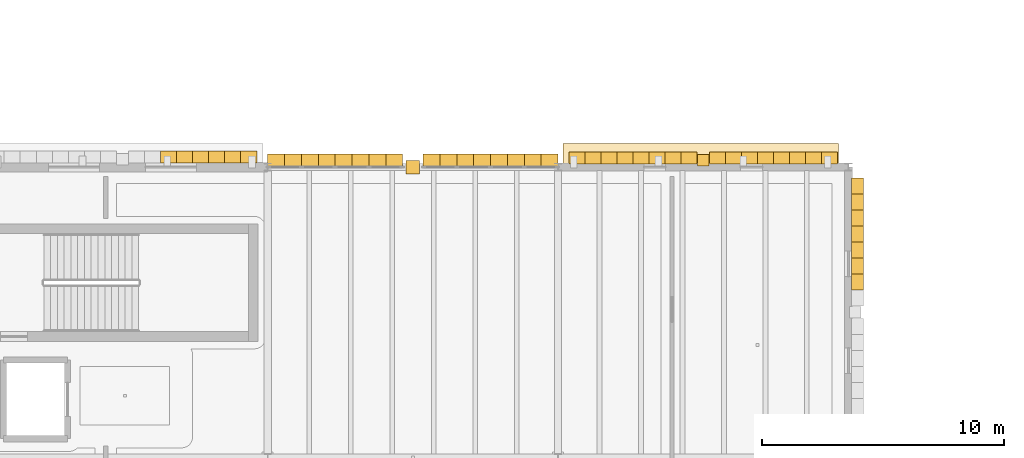
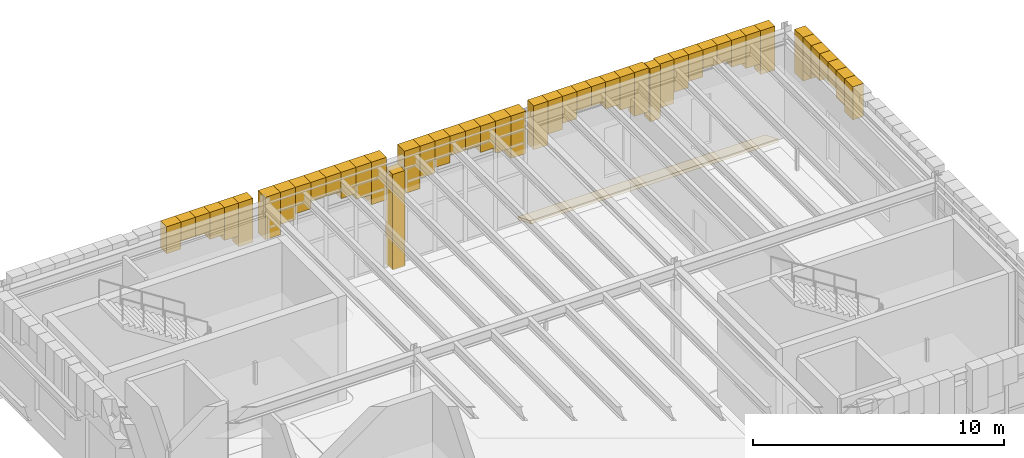
# One storey, part 95 of 100: 48 coverings.
"""IFC4 building model written with IfcOpenShell, lengths in metres."""

from ifc_helpers import new_model, si_unit, direction, frame, origin, place, context, subcontext, project, spatial, polyline, outline, extrude, material, layer, layer_set, type_object, element, save


model = new_model("IFC4")

# Units and contexts
model_context = context("Model", 3, precision=1e-05, world=origin(), true_north=direction((0.0, 1.0)))
body_context = subcontext(model_context, "Body", "Model", "MODEL_VIEW")
ifc_project = project(units=[si_unit("LENGTHUNIT", "METRE"), si_unit("AREAUNIT", "SQUARE_METRE"), si_unit("VOLUMEUNIT", "CUBIC_METRE"), si_unit("PLANEANGLEUNIT", "RADIAN"), si_unit("MASSUNIT", "GRAM", prefix="KILO")], contexts=[model_context])

# Site, building, storey
site_placement = place(None, origin())
site = spatial("IfcSite", under=ifc_project, at=site_placement, CompositionType="ELEMENT")
building_placement = place(site_placement, origin())
building = spatial("IfcBuilding", under=site, at=building_placement, Name="Zlatogorsky Bluff Art Gallery", CompositionType="ELEMENT")
storey_placement = place(building_placement, frame((0.0, 0.0, 5.39990234375)))
storey = spatial("IfcBuildingStorey", under=building, at=storey_placement, Name="L01", CompositionType="ELEMENT", Elevation=5.39990234375)

# Coverings
ifc_material = material(Name="Honed Red Agra-Tone Quartzitic Sandstone", Category="masonry")
ifc_layer = layer(ifc_material, 0.1201171875)
ifc_layer_set = layer_set([ifc_layer], Name="Carved Sandstone Cladding CLD-02")
covering_type = type_object("IfcCoveringType", Name="Carved Sandstone Cladding CLD-02", PredefinedType="CLADDING", material=ifc_layer_set)
covering_1_placement = place(storey_placement, frame((0.0, 0.0, 4.046875)))
element("IfcCovering", 1, at=covering_1_placement, inside=storey, type_object=covering_type, Name="Pointed Mughal arch voussoir spandrel WARCH-L01-N-10-09-B.3", PredefinedType="CLADDING", context=body_context, shape_type="SweptSolid", body=[
    extrude(outline(polyline([(127.574951171875, 108.169921875), (128.237548828125, 108.169921875), (128.237548828125, 108.659912109375), (127.574951171875, 108.659912109375), (127.574951171875, 108.169921875)])), origin(), (0.0, 0.0, 1.0), 1.313232421875),
])
covering_2_placement = place(storey_placement, frame((0.0, 0.0, 4.41552734375)))
element("IfcCovering", 2, at=covering_2_placement, inside=storey, type_object=covering_type, Name="Pointed Mughal arch voussoir spandrel WARCH-L01-N-10-09-B.4", PredefinedType="CLADDING", context=body_context, shape_type="SweptSolid", body=[
    extrude(outline(polyline([(128.237548828125, 108.169921875), (128.89990234375, 108.169921875), (128.89990234375, 108.659912109375), (128.237548828125, 108.659912109375), (128.237548828125, 108.169921875)])), origin(), (0.0, 0.0, 1.0), 0.944580078125),
])
covering_3_placement = place(storey_placement, frame((0.0, 0.0, 4.41552734375)))
element("IfcCovering", 3, at=covering_3_placement, inside=storey, type_object=covering_type, Name="Pointed Mughal arch voussoir spandrel WARCH-L01-N-10-09-B.5", PredefinedType="CLADDING", context=body_context, shape_type="SweptSolid", body=[
    extrude(outline(polyline([(128.89990234375, 108.169921875), (129.5625, 108.169921875), (129.5625, 108.659912109375), (128.89990234375, 108.659912109375), (128.89990234375, 108.169921875)])), origin(), (0.0, 0.0, 1.0), 0.944580078125),
])
covering_4_placement = place(storey_placement, frame((0.0, 0.0, 4.046875)))
element("IfcCovering", 4, at=covering_4_placement, inside=storey, type_object=covering_type, Name="Pointed Mughal arch voussoir spandrel WARCH-L01-N-10-09-B.6", PredefinedType="CLADDING", context=body_context, shape_type="SweptSolid", body=[
    extrude(outline(polyline([(129.5625, 108.169921875), (130.22509765625, 108.169921875), (130.22509765625, 108.659912109375), (129.5625, 108.659912109375), (129.5625, 108.169921875)])), origin(), (0.0, 0.0, 1.0), 1.313232421875),
])
covering_5_placement = place(storey_placement, frame((0.0, 0.0, 3.75390625)))
element("IfcCovering", 5, at=covering_5_placement, inside=storey, type_object=covering_type, Name="Pointed Mughal arch voussoir spandrel WARCH-L01-N-10-09-B.7", PredefinedType="CLADDING", context=body_context, shape_type="SweptSolid", body=[
    extrude(outline(polyline([(130.22509765625, 108.169921875), (130.887451171875, 108.169921875), (130.887451171875, 108.659912109375), (130.22509765625, 108.659912109375), (130.22509765625, 108.169921875)])), origin(), (0.0, 0.0, 1.0), 1.606201171875),
])
covering_6_placement = place(storey_placement, frame((0.0, 0.0, 3.222412109375)))
element("IfcCovering", 6, at=covering_6_placement, inside=storey, type_object=covering_type, Name="Pointed Mughal arch voussoir spandrel WARCH-L01-N-10-09-B.8", PredefinedType="CLADDING", context=body_context, shape_type="SweptSolid", body=[
    extrude(outline(polyline([(130.887451171875, 108.169921875), (131.550048828125, 108.169921875), (131.550048828125, 108.659912109375), (130.887451171875, 108.659912109375), (130.887451171875, 108.169921875)])), origin(), (0.0, 0.0, 1.0), 2.1376953125),
])
covering_7_placement = place(storey_placement, frame((0.0, 0.0, -0.02978515625)))
element("IfcCovering", 7, at=covering_7_placement, inside=storey, type_object=covering_type, Name="Mughal dalan central sandstone pier L01 N 11.9", PredefinedType="CLADDING", context=body_context, shape_type="SweptSolid", body=[
    extrude(outline(polyline([(137.719970703125, 107.719970703125), (138.280029296875, 107.719970703125), (138.280029296875, 108.280029296875), (137.719970703125, 108.280029296875), (137.719970703125, 107.719970703125)])), origin(), (0.0, 0.0, 1.0), 4.659912109375),
])
covering_8_placement = place(storey_placement, frame((0.0, 0.0, 3.2978515625)))
element("IfcCovering", 8, at=covering_8_placement, inside=storey, type_object=covering_type, Name="Pointed Mughal arch voussoir spandrel ARCH-CW-L01-N-11-09-A.1", PredefinedType="CLADDING", context=body_context, shape_type="SweptSolid", body=[
    extrude(outline(polyline([(138.419921875, 107.969970703125), (139.117431640625, 107.969970703125), (139.117431640625, 108.5400390625), (138.419921875, 108.5400390625), (138.419921875, 107.969970703125)])), origin(), (0.0, 0.0, 1.0), 2.062255859375),
])
covering_9_placement = place(storey_placement, frame((0.0, 0.0, 3.7998046875)))
element("IfcCovering", 9, at=covering_9_placement, inside=storey, type_object=covering_type, Name="Pointed Mughal arch voussoir spandrel ARCH-CW-L01-N-11-09-A.2", PredefinedType="CLADDING", context=body_context, shape_type="SweptSolid", body=[
    extrude(outline(polyline([(139.117431640625, 107.969970703125), (139.81494140625, 107.969970703125), (139.81494140625, 108.5400390625), (139.117431640625, 108.5400390625), (139.117431640625, 107.969970703125)])), origin(), (0.0, 0.0, 1.0), 1.560302734375),
])
covering_10_placement = place(storey_placement, frame((0.0, 0.0, 4.076416015625)))
element("IfcCovering", 10, at=covering_10_placement, inside=storey, type_object=covering_type, Name="Pointed Mughal arch voussoir spandrel ARCH-CW-L01-N-11-09-A.3", PredefinedType="CLADDING", context=body_context, shape_type="SweptSolid", body=[
    extrude(outline(polyline([(139.81494140625, 107.969970703125), (140.512451171875, 107.969970703125), (140.512451171875, 108.5400390625), (139.81494140625, 108.5400390625), (139.81494140625, 107.969970703125)])), origin(), (0.0, 0.0, 1.0), 1.28369140625),
])
covering_11_placement = place(storey_placement, frame((0.0, 0.0, 4.424560546875)))
element("IfcCovering", 11, at=covering_11_placement, inside=storey, type_object=covering_type, Name="Pointed Mughal arch voussoir spandrel ARCH-CW-L01-N-11-09-A.4", PredefinedType="CLADDING", context=body_context, shape_type="SweptSolid", body=[
    extrude(outline(polyline([(140.512451171875, 107.969970703125), (141.2099609375, 107.969970703125), (141.2099609375, 108.5400390625), (140.512451171875, 108.5400390625), (140.512451171875, 107.969970703125)])), origin(), (0.0, 0.0, 1.0), 0.935546875),
])
covering_12_placement = place(storey_placement, frame((0.0, 0.0, 4.424560546875)))
element("IfcCovering", 12, at=covering_12_placement, inside=storey, type_object=covering_type, Name="Pointed Mughal arch voussoir spandrel ARCH-CW-L01-N-11-09-A.5", PredefinedType="CLADDING", context=body_context, shape_type="SweptSolid", body=[
    extrude(outline(polyline([(141.2099609375, 107.969970703125), (141.907470703125, 107.969970703125), (141.907470703125, 108.5400390625), (141.2099609375, 108.5400390625), (141.2099609375, 107.969970703125)])), origin(), (0.0, 0.0, 1.0), 0.935546875),
])
covering_13_placement = place(storey_placement, frame((0.0, 0.0, 4.076416015625)))
element("IfcCovering", 13, at=covering_13_placement, inside=storey, type_object=covering_type, Name="Pointed Mughal arch voussoir spandrel ARCH-CW-L01-N-11-09-A.6", PredefinedType="CLADDING", context=body_context, shape_type="SweptSolid", body=[
    extrude(outline(polyline([(141.907470703125, 107.969970703125), (142.60498046875, 107.969970703125), (142.60498046875, 108.5400390625), (141.907470703125, 108.5400390625), (141.907470703125, 107.969970703125)])), origin(), (0.0, 0.0, 1.0), 1.28369140625),
])
covering_14_placement = place(storey_placement, frame((0.0, 0.0, 3.7998046875)))
element("IfcCovering", 14, at=covering_14_placement, inside=storey, type_object=covering_type, Name="Pointed Mughal arch voussoir spandrel ARCH-CW-L01-N-11-09-A.7", PredefinedType="CLADDING", context=body_context, shape_type="SweptSolid", body=[
    extrude(outline(polyline([(142.60498046875, 107.969970703125), (143.302490234375, 107.969970703125), (143.302490234375, 108.5400390625), (142.60498046875, 108.5400390625), (142.60498046875, 107.969970703125)])), origin(), (0.0, 0.0, 1.0), 1.560302734375),
])
covering_15_placement = place(storey_placement, frame((0.0, 0.0, 3.2978515625)))
element("IfcCovering", 15, at=covering_15_placement, inside=storey, type_object=covering_type, Name="Pointed Mughal arch voussoir spandrel ARCH-CW-L01-N-11-09-A.8", PredefinedType="CLADDING", context=body_context, shape_type="SweptSolid", body=[
    extrude(outline(polyline([(143.302490234375, 107.969970703125), (144.0, 107.969970703125), (144.0, 108.5400390625), (143.302490234375, 108.5400390625), (143.302490234375, 107.969970703125)])), origin(), (0.0, 0.0, 1.0), 2.062255859375),
])
covering_16_placement = place(storey_placement, frame((0.0, 0.0, 3.2978515625)))
element("IfcCovering", 16, at=covering_16_placement, inside=storey, type_object=covering_type, Name="Pointed Mughal arch voussoir spandrel ARCH-CW-L01-N-11-09-B.1", PredefinedType="CLADDING", context=body_context, shape_type="SweptSolid", body=[
    extrude(outline(polyline([(132.0, 107.969970703125), (132.697509765625, 107.969970703125), (132.697509765625, 108.5400390625), (132.0, 108.5400390625), (132.0, 107.969970703125)])), origin(), (0.0, 0.0, 1.0), 2.062255859375),
])
covering_17_placement = place(storey_placement, frame((0.0, 0.0, 3.7998046875)))
element("IfcCovering", 17, at=covering_17_placement, inside=storey, type_object=covering_type, Name="Pointed Mughal arch voussoir spandrel ARCH-CW-L01-N-11-09-B.2", PredefinedType="CLADDING", context=body_context, shape_type="SweptSolid", body=[
    extrude(outline(polyline([(132.697509765625, 107.969970703125), (133.39501953125, 107.969970703125), (133.39501953125, 108.5400390625), (132.697509765625, 108.5400390625), (132.697509765625, 107.969970703125)])), origin(), (0.0, 0.0, 1.0), 1.560302734375),
])
covering_18_placement = place(storey_placement, frame((0.0, 0.0, 4.076416015625)))
element("IfcCovering", 18, at=covering_18_placement, inside=storey, type_object=covering_type, Name="Pointed Mughal arch voussoir spandrel ARCH-CW-L01-N-11-09-B.3", PredefinedType="CLADDING", context=body_context, shape_type="SweptSolid", body=[
    extrude(outline(polyline([(133.39501953125, 107.969970703125), (134.092529296875, 107.969970703125), (134.092529296875, 108.5400390625), (133.39501953125, 108.5400390625), (133.39501953125, 107.969970703125)])), origin(), (0.0, 0.0, 1.0), 1.28369140625),
])
covering_19_placement = place(storey_placement, frame((0.0, 0.0, 4.424560546875)))
element("IfcCovering", 19, at=covering_19_placement, inside=storey, type_object=covering_type, Name="Pointed Mughal arch voussoir spandrel ARCH-CW-L01-N-11-09-B.4", PredefinedType="CLADDING", context=body_context, shape_type="SweptSolid", body=[
    extrude(outline(polyline([(134.092529296875, 107.969970703125), (134.7900390625, 107.969970703125), (134.7900390625, 108.5400390625), (134.092529296875, 108.5400390625), (134.092529296875, 107.969970703125)])), origin(), (0.0, 0.0, 1.0), 0.935546875),
])
covering_20_placement = place(storey_placement, frame((0.0, 0.0, 4.424560546875)))
element("IfcCovering", 20, at=covering_20_placement, inside=storey, type_object=covering_type, Name="Pointed Mughal arch voussoir spandrel ARCH-CW-L01-N-11-09-B.5", PredefinedType="CLADDING", context=body_context, shape_type="SweptSolid", body=[
    extrude(outline(polyline([(134.7900390625, 107.969970703125), (135.487548828125, 107.969970703125), (135.487548828125, 108.5400390625), (134.7900390625, 108.5400390625), (134.7900390625, 107.969970703125)])), origin(), (0.0, 0.0, 1.0), 0.935546875),
])
covering_21_placement = place(storey_placement, frame((0.0, 0.0, 4.076416015625)))
element("IfcCovering", 21, at=covering_21_placement, inside=storey, type_object=covering_type, Name="Pointed Mughal arch voussoir spandrel ARCH-CW-L01-N-11-09-B.6", PredefinedType="CLADDING", context=body_context, shape_type="SweptSolid", body=[
    extrude(outline(polyline([(135.487548828125, 107.969970703125), (136.18505859375, 107.969970703125), (136.18505859375, 108.5400390625), (135.487548828125, 108.5400390625), (135.487548828125, 107.969970703125)])), origin(), (0.0, 0.0, 1.0), 1.28369140625),
])
covering_22_placement = place(storey_placement, frame((0.0, 0.0, 3.7998046875)))
element("IfcCovering", 22, at=covering_22_placement, inside=storey, type_object=covering_type, Name="Pointed Mughal arch voussoir spandrel ARCH-CW-L01-N-11-09-B.7", PredefinedType="CLADDING", context=body_context, shape_type="SweptSolid", body=[
    extrude(outline(polyline([(136.18505859375, 107.969970703125), (136.882568359375, 107.969970703125), (136.882568359375, 108.5400390625), (136.18505859375, 108.5400390625), (136.18505859375, 107.969970703125)])), origin(), (0.0, 0.0, 1.0), 1.560302734375),
])
covering_23_placement = place(storey_placement, frame((0.0, 0.0, 3.2978515625)))
element("IfcCovering", 23, at=covering_23_placement, inside=storey, type_object=covering_type, Name="Pointed Mughal arch voussoir spandrel ARCH-CW-L01-N-11-09-B.8", PredefinedType="CLADDING", context=body_context, shape_type="SweptSolid", body=[
    extrude(outline(polyline([(136.882568359375, 107.969970703125), (137.580078125, 107.969970703125), (137.580078125, 108.5400390625), (136.882568359375, 108.5400390625), (136.882568359375, 107.969970703125)])), origin(), (0.0, 0.0, 1.0), 2.062255859375),
])
covering_24_placement = place(storey_placement, frame((0.0, 0.0, 2.780029296875)))
element("IfcCovering", 24, at=covering_24_placement, inside=storey, type_object=covering_type, Name="Mughal blind-arch sandstone pilaster L01.N.12.9", PredefinedType="CLADDING", context=body_context, shape_type="SweptSolid", body=[
    extrude(outline(polyline([(149.760009765625, 108.0400390625), (150.239990234375, 108.0400390625), (150.239990234375, 108.52001953125), (149.760009765625, 108.52001953125), (149.760009765625, 108.0400390625)])), origin(), (0.0, 0.0, 1.0), 2.580078125),
])
covering_25_placement = place(storey_placement, frame((0.0, 0.0, 3.222412109375)))
element("IfcCovering", 25, at=covering_25_placement, inside=storey, type_object=covering_type, Name="Pointed Mughal arch voussoir spandrel WARCH-L01-N-12-09-A.1", PredefinedType="CLADDING", context=body_context, shape_type="SweptSolid", body=[
    extrude(outline(polyline([(144.449951171875, 108.1298828125), (145.112548828125, 108.1298828125), (145.112548828125, 108.6201171875), (144.449951171875, 108.6201171875), (144.449951171875, 108.1298828125)])), origin(), (0.0, 0.0, 1.0), 2.1376953125),
])
covering_26_placement = place(storey_placement, frame((0.0, 0.0, 3.75390625)))
element("IfcCovering", 26, at=covering_26_placement, inside=storey, type_object=covering_type, Name="Pointed Mughal arch voussoir spandrel WARCH-L01-N-12-09-A.2", PredefinedType="CLADDING", context=body_context, shape_type="SweptSolid", body=[
    extrude(outline(polyline([(145.112548828125, 108.1298828125), (145.77490234375, 108.1298828125), (145.77490234375, 108.6201171875), (145.112548828125, 108.6201171875), (145.112548828125, 108.1298828125)])), origin(), (0.0, 0.0, 1.0), 1.606201171875),
])
covering_27_placement = place(storey_placement, frame((0.0, 0.0, 4.046875)))
element("IfcCovering", 27, at=covering_27_placement, inside=storey, type_object=covering_type, Name="Pointed Mughal arch voussoir spandrel WARCH-L01-N-12-09-A.3", PredefinedType="CLADDING", context=body_context, shape_type="SweptSolid", body=[
    extrude(outline(polyline([(145.77490234375, 108.1298828125), (146.4375, 108.1298828125), (146.4375, 108.6201171875), (145.77490234375, 108.6201171875), (145.77490234375, 108.1298828125)])), origin(), (0.0, 0.0, 1.0), 1.313232421875),
])
covering_28_placement = place(storey_placement, frame((0.0, 0.0, 4.41552734375)))
element("IfcCovering", 28, at=covering_28_placement, inside=storey, type_object=covering_type, Name="Pointed Mughal arch voussoir spandrel WARCH-L01-N-12-09-A.4", PredefinedType="CLADDING", context=body_context, shape_type="SweptSolid", body=[
    extrude(outline(polyline([(146.4375, 108.1298828125), (147.10009765625, 108.1298828125), (147.10009765625, 108.6201171875), (146.4375, 108.6201171875), (146.4375, 108.1298828125)])), origin(), (0.0, 0.0, 1.0), 0.944580078125),
])
covering_29_placement = place(storey_placement, frame((0.0, 0.0, 4.41552734375)))
element("IfcCovering", 29, at=covering_29_placement, inside=storey, type_object=covering_type, Name="Pointed Mughal arch voussoir spandrel WARCH-L01-N-12-09-A.5", PredefinedType="CLADDING", context=body_context, shape_type="SweptSolid", body=[
    extrude(outline(polyline([(147.10009765625, 108.1298828125), (147.762451171875, 108.1298828125), (147.762451171875, 108.6201171875), (147.10009765625, 108.6201171875), (147.10009765625, 108.1298828125)])), origin(), (0.0, 0.0, 1.0), 0.944580078125),
])
covering_30_placement = place(storey_placement, frame((0.0, 0.0, 4.046875)))
element("IfcCovering", 30, at=covering_30_placement, inside=storey, type_object=covering_type, Name="Pointed Mughal arch voussoir spandrel WARCH-L01-N-12-09-A.6", PredefinedType="CLADDING", context=body_context, shape_type="SweptSolid", body=[
    extrude(outline(polyline([(147.762451171875, 108.1298828125), (148.425048828125, 108.1298828125), (148.425048828125, 108.6201171875), (147.762451171875, 108.6201171875), (147.762451171875, 108.1298828125)])), origin(), (0.0, 0.0, 1.0), 1.313232421875),
])
covering_31_placement = place(storey_placement, frame((0.0, 0.0, 3.75390625)))
element("IfcCovering", 31, at=covering_31_placement, inside=storey, type_object=covering_type, Name="Pointed Mughal arch voussoir spandrel WARCH-L01-N-12-09-A.7", PredefinedType="CLADDING", context=body_context, shape_type="SweptSolid", body=[
    extrude(outline(polyline([(148.425048828125, 108.1298828125), (149.08740234375, 108.1298828125), (149.08740234375, 108.6201171875), (148.425048828125, 108.6201171875), (148.425048828125, 108.1298828125)])), origin(), (0.0, 0.0, 1.0), 1.606201171875),
])
covering_32_placement = place(storey_placement, frame((0.0, 0.0, 3.222412109375)))
element("IfcCovering", 32, at=covering_32_placement, inside=storey, type_object=covering_type, Name="Pointed Mughal arch voussoir spandrel WARCH-L01-N-12-09-A.8", PredefinedType="CLADDING", context=body_context, shape_type="SweptSolid", body=[
    extrude(outline(polyline([(149.08740234375, 108.1298828125), (149.75, 108.1298828125), (149.75, 108.6201171875), (149.08740234375, 108.6201171875), (149.08740234375, 108.1298828125)])), origin(), (0.0, 0.0, 1.0), 2.1376953125),
])
covering_33_placement = place(storey_placement, frame((0.0, 0.0, 3.222412109375)))
element("IfcCovering", 33, at=covering_33_placement, inside=storey, type_object=covering_type, Name="Pointed Mughal arch voussoir spandrel WARCH-L01-N-12-09-B.1", PredefinedType="CLADDING", context=body_context, shape_type="SweptSolid", body=[
    extrude(outline(polyline([(150.25, 108.1298828125), (150.91259765625, 108.1298828125), (150.91259765625, 108.6201171875), (150.25, 108.6201171875), (150.25, 108.1298828125)])), origin(), (0.0, 0.0, 1.0), 2.1376953125),
])
covering_34_placement = place(storey_placement, frame((0.0, 0.0, 3.75390625)))
element("IfcCovering", 34, at=covering_34_placement, inside=storey, type_object=covering_type, Name="Pointed Mughal arch voussoir spandrel WARCH-L01-N-12-09-B.2", PredefinedType="CLADDING", context=body_context, shape_type="SweptSolid", body=[
    extrude(outline(polyline([(150.91259765625, 108.1298828125), (151.574951171875, 108.1298828125), (151.574951171875, 108.6201171875), (150.91259765625, 108.6201171875), (150.91259765625, 108.1298828125)])), origin(), (0.0, 0.0, 1.0), 1.606201171875),
])
covering_35_placement = place(storey_placement, frame((0.0, 0.0, 4.046875)))
element("IfcCovering", 35, at=covering_35_placement, inside=storey, type_object=covering_type, Name="Pointed Mughal arch voussoir spandrel WARCH-L01-N-12-09-B.3", PredefinedType="CLADDING", context=body_context, shape_type="SweptSolid", body=[
    extrude(outline(polyline([(151.574951171875, 108.1298828125), (152.237548828125, 108.1298828125), (152.237548828125, 108.6201171875), (151.574951171875, 108.6201171875), (151.574951171875, 108.1298828125)])), origin(), (0.0, 0.0, 1.0), 1.313232421875),
])
covering_36_placement = place(storey_placement, frame((0.0, 0.0, 4.41552734375)))
element("IfcCovering", 36, at=covering_36_placement, inside=storey, type_object=covering_type, Name="Pointed Mughal arch voussoir spandrel WARCH-L01-N-12-09-B.4", PredefinedType="CLADDING", context=body_context, shape_type="SweptSolid", body=[
    extrude(outline(polyline([(152.237548828125, 108.1298828125), (152.89990234375, 108.1298828125), (152.89990234375, 108.6201171875), (152.237548828125, 108.6201171875), (152.237548828125, 108.1298828125)])), origin(), (0.0, 0.0, 1.0), 0.944580078125),
])
covering_37_placement = place(storey_placement, frame((0.0, 0.0, 4.41552734375)))
element("IfcCovering", 37, at=covering_37_placement, inside=storey, type_object=covering_type, Name="Pointed Mughal arch voussoir spandrel WARCH-L01-N-12-09-B.5", PredefinedType="CLADDING", context=body_context, shape_type="SweptSolid", body=[
    extrude(outline(polyline([(152.89990234375, 108.1298828125), (153.5625, 108.1298828125), (153.5625, 108.6201171875), (152.89990234375, 108.6201171875), (152.89990234375, 108.1298828125)])), origin(), (0.0, 0.0, 1.0), 0.944580078125),
])
covering_38_placement = place(storey_placement, frame((0.0, 0.0, 4.046875)))
element("IfcCovering", 38, at=covering_38_placement, inside=storey, type_object=covering_type, Name="Pointed Mughal arch voussoir spandrel WARCH-L01-N-12-09-B.6", PredefinedType="CLADDING", context=body_context, shape_type="SweptSolid", body=[
    extrude(outline(polyline([(153.5625, 108.1298828125), (154.22509765625, 108.1298828125), (154.22509765625, 108.6201171875), (153.5625, 108.6201171875), (153.5625, 108.1298828125)])), origin(), (0.0, 0.0, 1.0), 1.313232421875),
])
covering_39_placement = place(storey_placement, frame((0.0, 0.0, 3.75390625)))
element("IfcCovering", 39, at=covering_39_placement, inside=storey, type_object=covering_type, Name="Pointed Mughal arch voussoir spandrel WARCH-L01-N-12-09-B.7", PredefinedType="CLADDING", context=body_context, shape_type="SweptSolid", body=[
    extrude(outline(polyline([(154.22509765625, 108.1298828125), (154.887451171875, 108.1298828125), (154.887451171875, 108.6201171875), (154.22509765625, 108.6201171875), (154.22509765625, 108.1298828125)])), origin(), (0.0, 0.0, 1.0), 1.606201171875),
])
covering_40_placement = place(storey_placement, frame((0.0, 0.0, 3.222412109375)))
element("IfcCovering", 40, at=covering_40_placement, inside=storey, type_object=covering_type, Name="Pointed Mughal arch voussoir spandrel WARCH-L01-N-12-09-B.8", PredefinedType="CLADDING", context=body_context, shape_type="SweptSolid", body=[
    extrude(outline(polyline([(154.887451171875, 108.1298828125), (155.550048828125, 108.1298828125), (155.550048828125, 108.6201171875), (154.887451171875, 108.6201171875), (154.887451171875, 108.1298828125)])), origin(), (0.0, 0.0, 1.0), 2.1376953125),
])
covering_41_placement = place(storey_placement, frame((0.0, 0.0, 3.75390625)))
element("IfcCovering", 41, at=covering_41_placement, inside=storey, type_object=covering_type, Name="Pointed Mughal arch voussoir spandrel WARCH-L01-E-12-09-B.2", PredefinedType="CLADDING", context=body_context, shape_type="SweptSolid", body=[
    extrude(outline(polyline([(156.1298828125, 102.91259765625), (156.1298828125, 103.574951171875), (156.6201171875, 103.574951171875), (156.6201171875, 102.91259765625), (156.1298828125, 102.91259765625)])), origin(), (0.0, 0.0, 1.0), 1.606201171875),
])
covering_42_placement = place(storey_placement, frame((0.0, 0.0, 4.046875)))
element("IfcCovering", 42, at=covering_42_placement, inside=storey, type_object=covering_type, Name="Pointed Mughal arch voussoir spandrel WARCH-L01-E-12-09-B.3", PredefinedType="CLADDING", context=body_context, shape_type="SweptSolid", body=[
    extrude(outline(polyline([(156.1298828125, 103.574951171875), (156.1298828125, 104.237548828125), (156.6201171875, 104.237548828125), (156.6201171875, 103.574951171875), (156.1298828125, 103.574951171875)])), origin(), (0.0, 0.0, 1.0), 1.313232421875),
])
covering_43_placement = place(storey_placement, frame((0.0, 0.0, 4.41552734375)))
element("IfcCovering", 43, at=covering_43_placement, inside=storey, type_object=covering_type, Name="Pointed Mughal arch voussoir spandrel WARCH-L01-E-12-09-B.4", PredefinedType="CLADDING", context=body_context, shape_type="SweptSolid", body=[
    extrude(outline(polyline([(156.1298828125, 104.237548828125), (156.1298828125, 104.89990234375), (156.6201171875, 104.89990234375), (156.6201171875, 104.237548828125), (156.1298828125, 104.237548828125)])), origin(), (0.0, 0.0, 1.0), 0.944580078125),
])
covering_44_placement = place(storey_placement, frame((0.0, 0.0, 4.41552734375)))
element("IfcCovering", 44, at=covering_44_placement, inside=storey, type_object=covering_type, Name="Pointed Mughal arch voussoir spandrel WARCH-L01-E-12-09-B.5", PredefinedType="CLADDING", context=body_context, shape_type="SweptSolid", body=[
    extrude(outline(polyline([(156.1298828125, 104.89990234375), (156.1298828125, 105.5625), (156.6201171875, 105.5625), (156.6201171875, 104.89990234375), (156.1298828125, 104.89990234375)])), origin(), (0.0, 0.0, 1.0), 0.944580078125),
])
covering_45_placement = place(storey_placement, frame((0.0, 0.0, 4.046875)))
element("IfcCovering", 45, at=covering_45_placement, inside=storey, type_object=covering_type, Name="Pointed Mughal arch voussoir spandrel WARCH-L01-E-12-09-B.6", PredefinedType="CLADDING", context=body_context, shape_type="SweptSolid", body=[
    extrude(outline(polyline([(156.1298828125, 105.5625), (156.1298828125, 106.22509765625), (156.6201171875, 106.22509765625), (156.6201171875, 105.5625), (156.1298828125, 105.5625)])), origin(), (0.0, 0.0, 1.0), 1.313232421875),
])
covering_46_placement = place(storey_placement, frame((0.0, 0.0, 3.75390625)))
element("IfcCovering", 46, at=covering_46_placement, inside=storey, type_object=covering_type, Name="Pointed Mughal arch voussoir spandrel WARCH-L01-E-12-09-B.7", PredefinedType="CLADDING", context=body_context, shape_type="SweptSolid", body=[
    extrude(outline(polyline([(156.1298828125, 106.22509765625), (156.1298828125, 106.887451171875), (156.6201171875, 106.887451171875), (156.6201171875, 106.22509765625), (156.1298828125, 106.22509765625)])), origin(), (0.0, 0.0, 1.0), 1.606201171875),
])
covering_47_placement = place(storey_placement, frame((0.0, 0.0, 3.222412109375)))
element("IfcCovering", 47, at=covering_47_placement, inside=storey, type_object=covering_type, Name="Pointed Mughal arch voussoir spandrel WARCH-L01-E-12-09-B.8", PredefinedType="CLADDING", context=body_context, shape_type="SweptSolid", body=[
    extrude(outline(polyline([(156.1298828125, 106.887451171875), (156.1298828125, 107.550048828125), (156.6201171875, 107.550048828125), (156.6201171875, 106.887451171875), (156.1298828125, 106.887451171875)])), origin(), (0.0, 0.0, 1.0), 2.1376953125),
])
covering_48_placement = place(storey_placement, frame((144.199951171875, 107.9599609375, -0.039794921875), z_axis=(0.0, 0.380872241927, 0.924627673893), x_axis=(1.0, 0.0, 0.0)))
element("IfcCovering", 48, at=covering_48_placement, inside=storey, type_object=covering_type, Name="Projecting sloped Mughal chhajja stone eave CHJ-NE-N-L01B", PredefinedType="CLADDING", context=body_context, shape_type="SweptSolid", body=[
    extrude(outline(polyline([(0.0, 0.0), (11.400146484375, 0.0), (11.400146484375, 1.1031678588581422), (0.0, 1.1031678588581422), (0.0, 0.0)])), origin(), (0.0, 0.0, -1.0), 0.139892578125),
])

save(model, "model.ifc")
